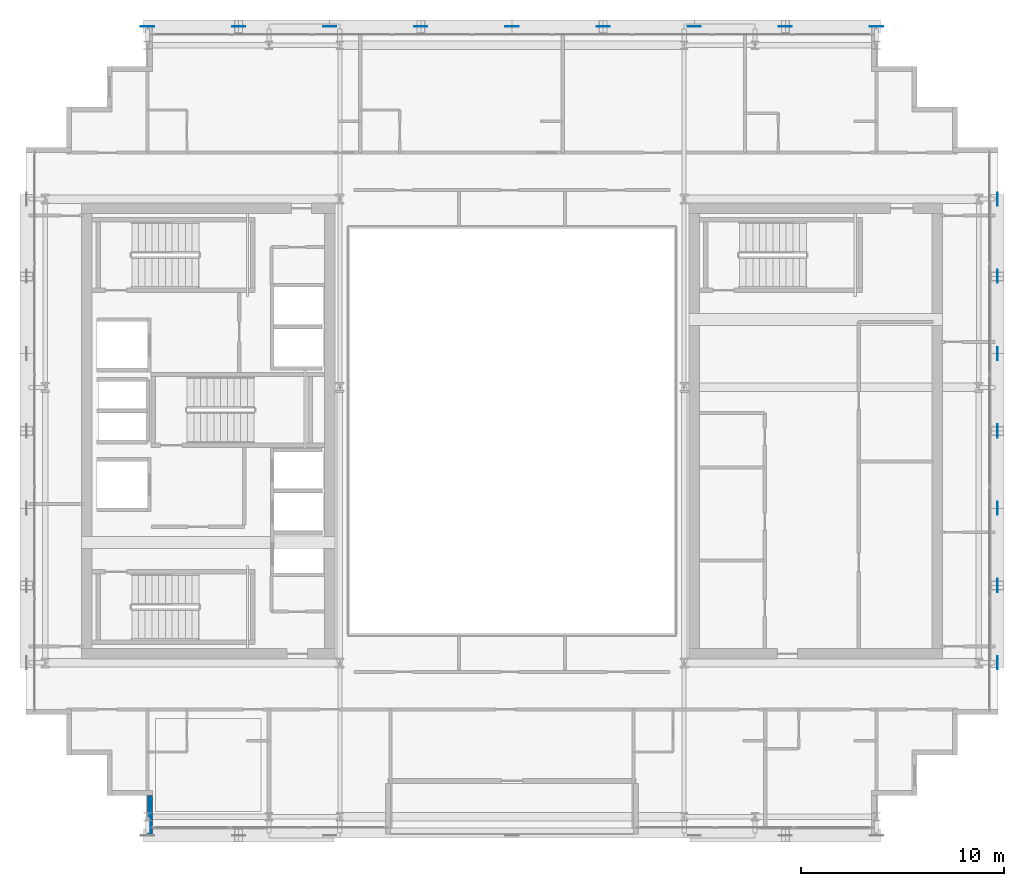
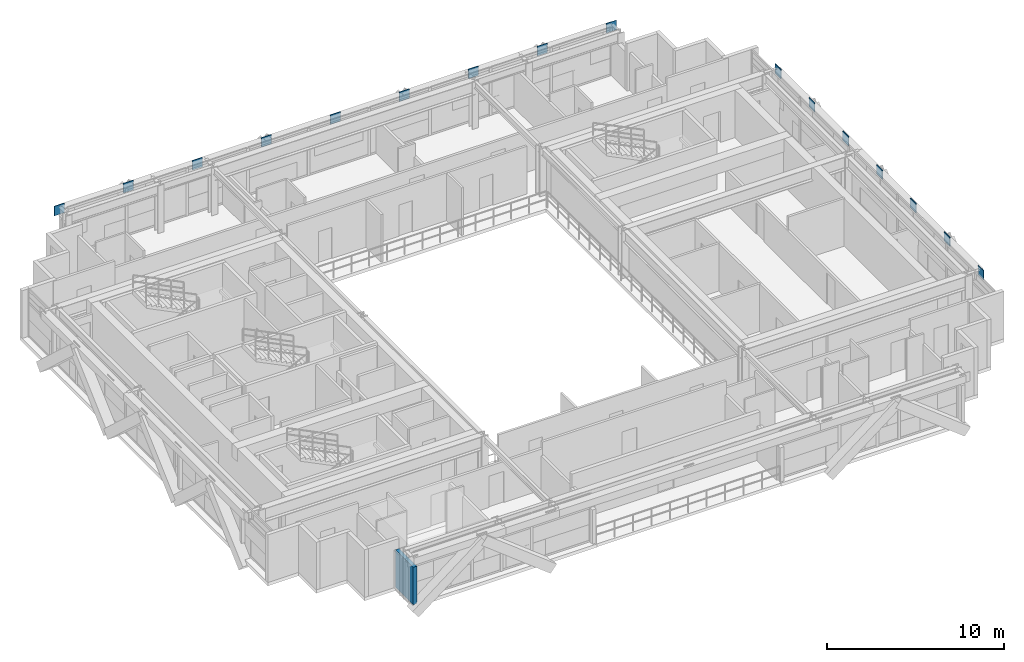
# One storey, part 23 of 32: 16 plates, 1 wall.
"""IFC4 building model written with IfcOpenShell, lengths in metres."""

from ifc_helpers import new_model, si_unit, direction, frame, frame_2d, origin, origin_2d, place, context, subcontext, project, spatial, rectangle, extrude, source, transform, mapped, material, layer, layer_set, type_object, element, save


model = new_model("IFC4")

# Units and contexts
model_context = context("Model", 3, precision=1e-05, world=origin(), true_north=direction((0.0, 1.0)))
body_context = subcontext(model_context, "Body", "Model", "MODEL_VIEW")
ifc_project = project(units=[si_unit("LENGTHUNIT", "METRE"), si_unit("AREAUNIT", "SQUARE_METRE"), si_unit("VOLUMEUNIT", "CUBIC_METRE"), si_unit("PLANEANGLEUNIT", "RADIAN"), si_unit("MASSUNIT", "GRAM", prefix="KILO")], contexts=[model_context])

# Site, building, storey
site_placement = place(None, origin())
site = spatial("IfcSite", under=ifc_project, at=site_placement, CompositionType="ELEMENT")
building_placement = place(site_placement, origin())
building = spatial("IfcBuilding", under=site, at=building_placement, Name="Ocotamira Hotel", CompositionType="ELEMENT")
storey_placement = place(building_placement, frame((0.0, 0.0, 217.199951171875)))
storey = spatial("IfcBuildingStorey", under=building, at=storey_placement, Name="L55", CompositionType="ELEMENT", Elevation=217.199951171875)

# Plates
ifc_material_1 = material(Name="Pale-metal coated steel ASTM A572 Grade 50", Category="steel")
ifc_layer_1 = layer(ifc_material_1, 0.0400390625)
ifc_layer_set_1 = layer_set([ifc_layer_1], Name="Pale-metal coated steel ASTM A572 Grade 50")
plate_type = type_object("IfcPlateType", Name="PLT-GUSSET-40", PredefinedType="SHEET", material=ifc_layer_set_1)
shared_shape_1 = source(origin(), body_context, "Body", "SweptSolid", [
    extrude(rectangle(XDim=0.64990234375, YDim=0.0400390625, at=origin_2d()), origin(), (0.0, 0.0, 1.0), 0.64990234375),
])
for number, where, z_axis, x_axis, name in (
    (1, (18.5, 45.969970703125, 2.705078125), (0.0, 0.0, 1.0), (1.0, 0.0, 0.0), "L55 Exoskeleton Diagrid N0.1 End Gusset B"),
    (2, (27.5, 45.969970703125, 2.705078125), (0.0, 0.0, 1.0), (1.0, 0.0, 0.0), "L55 Exoskeleton Diagrid N1.1 End Gusset B"),
    (3, (36.5, 45.969970703125, 2.705078125), (0.0, 0.0, 1.0), (1.0, 0.0, 0.0), "L55 Exoskeleton Diagrid N2.1 End Gusset B"),
    (4, (45.5, 45.969970703125, 2.705078125), (0.0, 0.0, 1.0), (1.0, 0.0, 0.0), "L55 Exoskeleton Diagrid N3.1 End Gusset B"),
    (5, (14.0, 45.969970703125, 2.705078125), (0.0, 0.0, 1.0), (1.0, 0.0, 0.0), "L55 Exoskeleton Diagrid N0.1 End Gusset A"),
    (6, (23.0, 45.969970703125, 2.705078125), (0.0, 0.0, 1.0), (-1.0, 0.0, 0.0), "L55 Exoskeleton Diagrid N0.2 End Gusset A"),
    (7, (32.0, 45.969970703125, 2.705078125), (0.0, 0.0, 1.0), (-1.0, 0.0, 0.0), "L55 Exoskeleton Diagrid N1.2 End Gusset A"),
    (8, (41.0, 45.969970703125, 2.705078125), (0.0, 0.0, 1.0), (-1.0, 0.0, 0.0), "L55 Exoskeleton Diagrid N2.2 End Gusset A"),
    (9, (50.0, 45.969970703125, 2.705078125), (0.0, 0.0, 1.0), (-1.0, 0.0, 0.0), "L55 Exoskeleton Diagrid N3.2 End Gusset A"),
):
    element("IfcPlate", number, at=place(storey_placement, frame(where, z_axis=z_axis, x_axis=x_axis)), inside=storey, type_object=plate_type, Name=name, PredefinedType="SHEET", context=body_context, shape_type="MappedRepresentation", body=[
        mapped(shared_shape_1, transform((0.0, 0.0, 0.0), scale=1.0)),
    ])
shared_shape_2 = source(origin(), body_context, "Body", "SweptSolid", [
    extrude(rectangle(XDim=0.0400390625, YDim=0.64990234375, at=origin_2d()), origin(), (0.0, 0.0, 1.0), 0.64990234375),
])
for number, where, z_axis, x_axis, name in (
    (10, (55.969970703125, 18.36669921875, 2.705078125), (0.0, 0.0, 1.0), (1.0, 0.0, 0.0), "L55 Exoskeleton Diagrid E0.1 End Gusset B"),
    (11, (55.969970703125, 26.0, 2.705078125), (0.0, 0.0, 1.0), (1.0, 0.0, 0.0), "L55 Exoskeleton Diagrid E1.1 End Gusset B"),
    (12, (55.969970703125, 33.63330078125, 2.705078125), (0.0, 0.0, 1.0), (1.0, 0.0, 0.0), "L55 Exoskeleton Diagrid E2.1 End Gusset B"),
    (13, (55.969970703125, 14.550048828125, 2.705078125), (0.0, 0.0, 1.0), (1.0, 0.0, 0.0), "L55 Exoskeleton Diagrid E0.1 End Gusset A"),
    (14, (55.969970703125, 22.183349609375, 2.705078125), (0.0, 0.0, 1.0), (1.0, 0.0, 0.0), "L55 Exoskeleton Diagrid E0.2 End Gusset A"),
    (15, (55.969970703125, 29.816650390625, 2.705078125), (0.0, 0.0, 1.0), (1.0, 0.0, 0.0), "L55 Exoskeleton Diagrid E1.2 End Gusset A"),
    (16, (55.969970703125, 37.449951171875, 2.705078125), (0.0, 0.0, 1.0), (1.0, 0.0, 0.0), "L55 Exoskeleton Diagrid E2.2 End Gusset A"),
):
    element("IfcPlate", number, at=place(storey_placement, frame(where, z_axis=z_axis, x_axis=x_axis)), inside=storey, type_object=plate_type, Name=name, PredefinedType="SHEET", context=body_context, shape_type="MappedRepresentation", body=[
        mapped(shared_shape_2, transform((0.0, 0.0, 0.0), scale=1.0)),
    ])

# Wall
ifc_material_2 = material(Name="Precast concrete C45/55", Category="concrete")
ifc_layer_2 = layer(ifc_material_2, 0.25)
ifc_layer_set_2 = layer_set([ifc_layer_2], Name="Precast concrete C45/55")
wall_type = type_object("IfcWallType", Name="WL-EXT-SER-250", PredefinedType="SOLIDWALL", material=ifc_layer_set_2)
wall_placement = place(storey_placement, frame((14.125, 8.0, 0.0), z_axis=(0.0, 0.0, 1.0), x_axis=(0.0, -1.0, 0.0)))
element("IfcWall", 17, at=wall_placement, inside=storey, type_object=wall_type, Name="L55 Serrated Corner Wall 24", PredefinedType="SOLIDWALL", context=body_context, shape_type="SweptSolid", body=[
    extrude(rectangle(XDim=2.0, YDim=0.25, at=frame_2d((1.0, 0.0))), origin(), (0.0, 0.0, 1.0), 2.587158203125),
])

save(model, "model.ifc")
